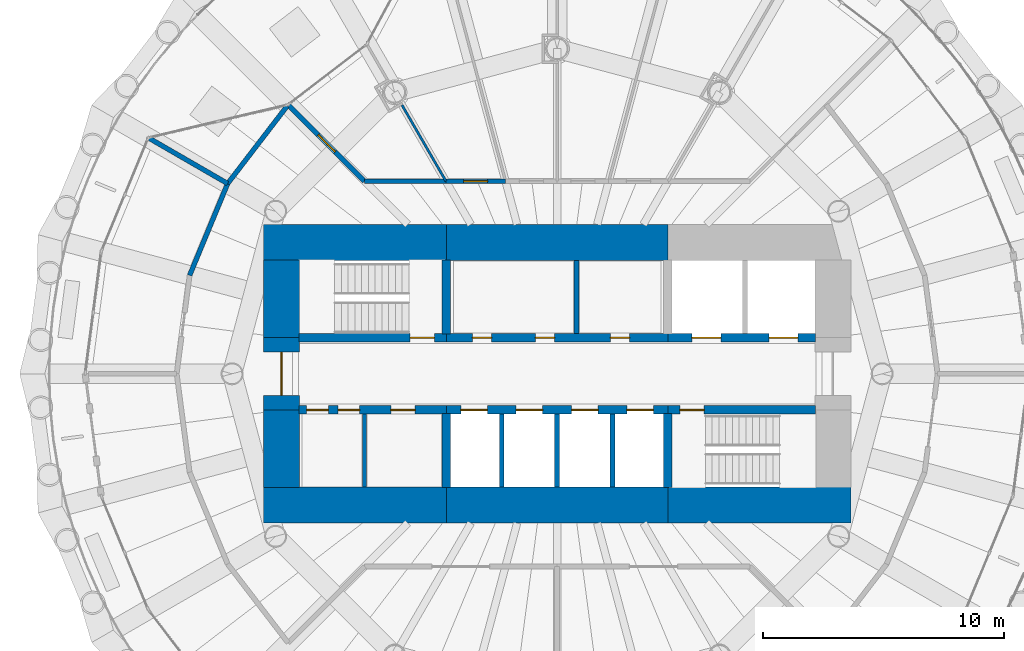
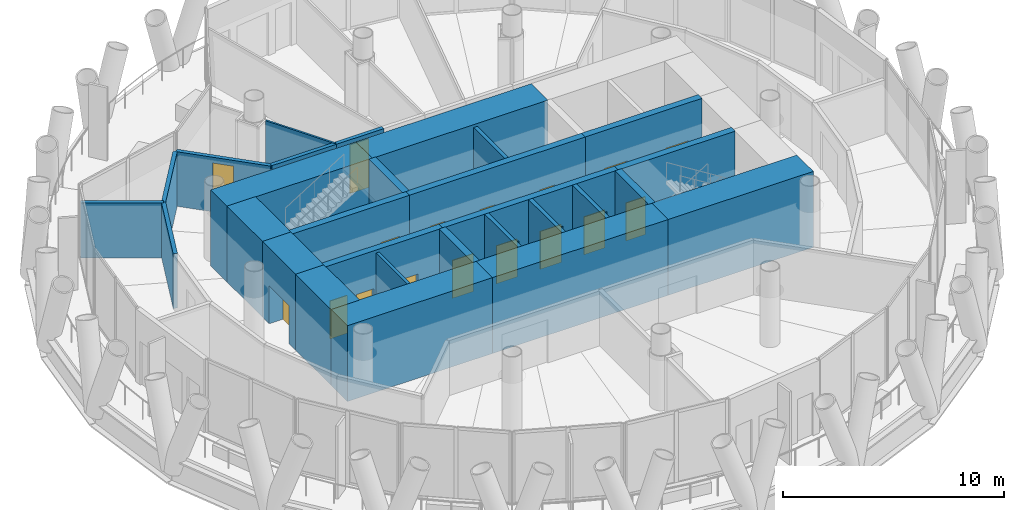
# One storey, part 9 of 14: 29 walls, 17 doors, 17 openings.
"""IFC4 building model written with IfcOpenShell, lengths in metres."""

from ifc_helpers import new_model, si_unit, direction, frame, frame_2d, origin, place, context, subcontext, project, spatial, rectangle, extrude, material, layer, layer_set, type_object, element, fill, save


model = new_model("IFC4")

# Units and contexts
model_context = context("Model", 3, precision=1e-05, world=origin(), true_north=direction((0.0, 1.0)))
body_context = subcontext(model_context, "Body", "Model", "MODEL_VIEW")
ifc_project = project(units=[si_unit("LENGTHUNIT", "METRE"), si_unit("AREAUNIT", "SQUARE_METRE"), si_unit("VOLUMEUNIT", "CUBIC_METRE"), si_unit("PLANEANGLEUNIT", "RADIAN"), si_unit("MASSUNIT", "GRAM", prefix="KILO")], contexts=[model_context])

# Site, building, storey
site_placement = place(None, origin())
site = spatial("IfcSite", under=ifc_project, at=site_placement, CompositionType="ELEMENT")
building_placement = place(site_placement, origin())
building = spatial("IfcBuilding", under=site, at=building_placement, Name="Qaws Media Tower", CompositionType="ELEMENT")
storey_placement = place(building_placement, frame((0.0, 0.0, 261.199951171875)))
storey = spatial("IfcBuildingStorey", under=building, at=storey_placement, Name="L60", CompositionType="ELEMENT", Elevation=261.199951171875)

# Wall, opening, door
ifc_material_1 = material(Name="Concrete C60/75", Category="concrete")
ifc_layer_1 = layer(ifc_material_1, 0.35009765625)
ifc_layer_set_1 = layer_set([ifc_layer_1], Name="Core inner wall 350")
wall_type_1 = type_object("IfcWallType", Name="Core inner wall 350", PredefinedType="SHEAR", material=ifc_layer_set_1)
wall_1_placement = place(storey_placement, frame((49.280029296875, 51.5, 0.0), z_axis=(0.0, 0.0, 1.0), x_axis=(1.0, 0.0, 0.0)))
wall_1 = element("IfcWall", 1, at=wall_1_placement, inside=storey, type_object=wall_type_1, Name="W301 SW5 core wall SPNW L60", PredefinedType="SHEAR", context=body_context, shape_type="SweptSolid", body=[
    extrude(rectangle(XDim=6.119873046875, YDim=0.35009765625, at=frame_2d((3.06005859375, 0.0))), origin(), (0.0, 0.0, 1.0), 4.199951171875),
])
opening_1_placement = place(wall_1_placement, frame((4.6201171875, 0.0, 0.0)))
opening_1 = element("IfcOpeningElement", 2, at=opening_1_placement, cuts=wall_1, Name="Opening D1", PredefinedType="OPENING", context=body_context, shape_type="SweptSolid", body=[
    extrude(rectangle(XDim=1.0, YDim=2.10009765625, at=frame_2d((0.5, 1.050048828125))), frame((0.0, 0.18505859375, 0.0), z_axis=(0.0, -1.0, 0.0), x_axis=(1.0, 0.0, 0.0)), (0.0, 0.0, 1.0), 0.3701171875),
])
ifc_material_2 = material(Name="Steel, fire rated", Category="steel")
door_type_1 = type_object("IfcDoorType", Name="Stair door 1000 FD120", OperationType="SINGLE_SWING_LEFT", PredefinedType="DOOR", material=ifc_material_2)
door_1_placement = place(opening_1_placement, origin())
door_1 = element("IfcDoor", 3, at=door_1_placement, inside=storey, type_object=door_type_1, Name="D1 stair S1 door L60 in wall W301", OperationType="SINGLE_SWING_LEFT", OverallHeight=2.10009765625, OverallWidth=1.0, PredefinedType="DOOR", context=body_context, shape_type="SweptSolid", body=[
    extrude(rectangle(XDim=1.0, YDim=2.10009765625, at=frame_2d((0.5, 1.050048828125))), frame((0.0, 0.02490234375, 0.0), z_axis=(0.0, -1.0, 0.0), x_axis=(1.0, 0.0, 0.0)), (0.0, 0.0, 1.0), 0.050048828125),
])
fill(opening_1, door_1)

# Wall, openings, doors
wall_2_placement = place(storey_placement, frame((55.39990234375, 51.5, 0.0), z_axis=(0.0, 0.0, 1.0), x_axis=(1.0, 0.0, 0.0)))
wall_2 = element("IfcWall", 4, at=wall_2_placement, inside=storey, type_object=wall_type_1, Name="W304 SW5 core wall SPN L60", PredefinedType="SHEAR", context=body_context, shape_type="SweptSolid", body=[
    extrude(rectangle(XDim=9.2001953125, YDim=0.35009765625, at=frame_2d((4.60009765625, 0.0))), origin(), (0.0, 0.0, 1.0), 4.199951171875),
])
opening_2_placement = place(wall_2_placement, frame((1.08251953125, 0.0, 0.0)))
opening_2 = element("IfcOpeningElement", 5, at=opening_2_placement, cuts=wall_2, Name="Opening D23", PredefinedType="OPENING", context=body_context, shape_type="SweptSolid", body=[
    extrude(rectangle(XDim=0.800048828125, YDim=2.10009765625, at=frame_2d((0.39990234375, 1.050048828125))), frame((0.0, 0.18505859375, 0.0), z_axis=(0.0, -1.0, 0.0), x_axis=(1.0, 0.0, 0.0)), (0.0, 0.0, 1.0), 0.3701171875),
])
opening_3_placement = place(wall_2_placement, frame((3.697265625, 0.0, 0.0)))
opening_3 = element("IfcOpeningElement", 6, at=opening_3_placement, cuts=wall_2, Name="Opening D23", PredefinedType="OPENING", context=body_context, shape_type="SweptSolid", body=[
    extrude(rectangle(XDim=0.800048828125, YDim=2.10009765625, at=frame_2d((0.39990234375, 1.050048828125))), frame((0.0, 0.18505859375, 0.0), z_axis=(0.0, -1.0, 0.0), x_axis=(1.0, 0.0, 0.0)), (0.0, 0.0, 1.0), 0.3701171875),
])
opening_4_placement = place(wall_2_placement, frame((6.814697265625, 0.0, 0.0)))
opening_4 = element("IfcOpeningElement", 7, at=opening_4_placement, cuts=wall_2, Name="Opening D23", PredefinedType="OPENING", context=body_context, shape_type="SweptSolid", body=[
    extrude(rectangle(XDim=0.800048828125, YDim=2.10009765625, at=frame_2d((0.39990234375, 1.050048828125))), frame((0.0, 0.18505859375, 0.0), z_axis=(0.0, -1.0, 0.0), x_axis=(1.0, 0.0, 0.0)), (0.0, 0.0, 1.0), 0.3701171875),
])
ifc_material_3 = material(Name="Steel, fire rated", Category="steel")
door_type_2 = type_object("IfcDoorType", Name="Core room door 800x2100", OperationType="SINGLE_SWING_LEFT", PredefinedType="DOOR", material=ifc_material_3)
door_2_placement = place(opening_2_placement, origin())
door_2 = element("IfcDoor", 8, at=door_2_placement, inside=storey, type_object=door_type_2, Name="D23 Gents toilets door L60 1 in wall W304", OperationType="SINGLE_SWING_LEFT", OverallHeight=2.10009765625, OverallWidth=0.800048828125, PredefinedType="DOOR", context=body_context, shape_type="SweptSolid", body=[
    extrude(rectangle(XDim=0.800048828125, YDim=2.10009765625, at=frame_2d((0.39990234375, 1.050048828125))), frame((0.0, 0.02490234375, 0.0), z_axis=(0.0, -1.0, 0.0), x_axis=(1.0, 0.0, 0.0)), (0.0, 0.0, 1.0), 0.050048828125),
])
fill(opening_2, door_2)
door_3_placement = place(opening_3_placement, origin())
door_3 = element("IfcDoor", 9, at=door_3_placement, inside=storey, type_object=door_type_2, Name="D23 Gents toilets door L60 2 in wall W304", OperationType="SINGLE_SWING_LEFT", OverallHeight=2.10009765625, OverallWidth=0.800048828125, PredefinedType="DOOR", context=body_context, shape_type="SweptSolid", body=[
    extrude(rectangle(XDim=0.800048828125, YDim=2.10009765625, at=frame_2d((0.39990234375, 1.050048828125))), frame((0.0, 0.02490234375, 0.0), z_axis=(0.0, -1.0, 0.0), x_axis=(1.0, 0.0, 0.0)), (0.0, 0.0, 1.0), 0.050048828125),
])
fill(opening_3, door_3)
door_4_placement = place(opening_4_placement, origin())
door_4 = element("IfcDoor", 10, at=door_4_placement, inside=storey, type_object=door_type_2, Name="D23 Ladies toilets door L60 in wall W304", OperationType="SINGLE_SWING_LEFT", OverallHeight=2.10009765625, OverallWidth=0.800048828125, PredefinedType="DOOR", context=body_context, shape_type="SweptSolid", body=[
    extrude(rectangle(XDim=0.800048828125, YDim=2.10009765625, at=frame_2d((0.39990234375, 1.050048828125))), frame((0.0, 0.02490234375, 0.0), z_axis=(0.0, -1.0, 0.0), x_axis=(1.0, 0.0, 0.0)), (0.0, 0.0, 1.0), 0.050048828125),
])
fill(opening_4, door_4)

wall_3_placement = place(storey_placement, frame((64.60009765625, 51.5, 0.0), z_axis=(0.0, 0.0, 1.0), x_axis=(1.0, 0.0, 0.0)))
wall_3 = element("IfcWall", 11, at=wall_3_placement, inside=storey, type_object=wall_type_1, Name="W308 SW5 core wall SPNE L60", PredefinedType="SHEAR", context=body_context, shape_type="SweptSolid", body=[
    extrude(rectangle(XDim=6.119873046875, YDim=0.35009765625, at=frame_2d((3.06005859375, 0.0))), origin(), (0.0, 0.0, 1.0), 4.199951171875),
])
opening_5_placement = place(wall_3_placement, frame((1.0, 0.0, 0.0)))
opening_5 = element("IfcOpeningElement", 12, at=opening_5_placement, cuts=wall_3, Name="Opening LD2", PredefinedType="OPENING", context=body_context, shape_type="SweptSolid", body=[
    extrude(rectangle(XDim=1.199951171875, YDim=2.10009765625, at=frame_2d((0.60009765625, 1.050048828125))), frame((0.0, 0.18505859375, 0.0), z_axis=(0.0, -1.0, 0.0), x_axis=(1.0, 0.0, 0.0)), (0.0, 0.0, 1.0), 0.3701171875),
])
opening_6_placement = place(wall_3_placement, frame((4.199951171875, 0.0, 0.0)))
opening_6 = element("IfcOpeningElement", 13, at=opening_6_placement, cuts=wall_3, Name="Opening LD2", PredefinedType="OPENING", context=body_context, shape_type="SweptSolid", body=[
    extrude(rectangle(XDim=1.199951171875, YDim=2.10009765625, at=frame_2d((0.60009765625, 1.050048828125))), frame((0.0, 0.18505859375, 0.0), z_axis=(0.0, -1.0, 0.0), x_axis=(1.0, 0.0, 0.0)), (0.0, 0.0, 1.0), 0.3701171875),
])
ifc_material_4 = material(Name="Steel, fire rated", Category="steel")
door_type_3 = type_object("IfcDoorType", Name="Lift landing door 1200", OperationType="SLIDING_TO_LEFT", PredefinedType="DOOR", material=ifc_material_4)
door_5_placement = place(opening_5_placement, origin())
door_5 = element("IfcDoor", 14, at=door_5_placement, inside=storey, type_object=door_type_3, Name="FL1 landing door L60 in wall W308", OperationType="SLIDING_TO_LEFT", OverallHeight=2.10009765625, OverallWidth=1.199951171875, PredefinedType="DOOR", context=body_context, shape_type="SweptSolid", body=[
    extrude(rectangle(XDim=1.199951171875, YDim=2.10009765625, at=frame_2d((0.60009765625, 1.050048828125))), frame((0.0, 0.02490234375, 0.0), z_axis=(0.0, -1.0, 0.0), x_axis=(1.0, 0.0, 0.0)), (0.0, 0.0, 1.0), 0.050048828125),
])
fill(opening_5, door_5)
door_6_placement = place(opening_6_placement, origin())
door_6 = element("IfcDoor", 15, at=door_6_placement, inside=storey, type_object=door_type_3, Name="FL2 landing door L60 in wall W308", OperationType="SLIDING_TO_LEFT", OverallHeight=2.10009765625, OverallWidth=1.199951171875, PredefinedType="DOOR", context=body_context, shape_type="SweptSolid", body=[
    extrude(rectangle(XDim=1.199951171875, YDim=2.10009765625, at=frame_2d((0.60009765625, 1.050048828125))), frame((0.0, 0.02490234375, 0.0), z_axis=(0.0, -1.0, 0.0), x_axis=(1.0, 0.0, 0.0)), (0.0, 0.0, 1.0), 0.050048828125),
])
fill(opening_6, door_6)

wall_4_placement = place(storey_placement, frame((49.280029296875, 48.5, 0.0), z_axis=(0.0, 0.0, 1.0), x_axis=(1.0, 0.0, 0.0)))
wall_4 = element("IfcWall", 16, at=wall_4_placement, inside=storey, type_object=wall_type_1, Name="W300 SW5 core wall SPSW L60", PredefinedType="SHEAR", context=body_context, shape_type="SweptSolid", body=[
    extrude(rectangle(XDim=6.119873046875, YDim=0.35009765625, at=frame_2d((3.06005859375, 0.0))), origin(), (0.0, 0.0, 1.0), 4.199951171875),
])
opening_7_placement = place(wall_4_placement, frame((0.320068359375, 0.0, 0.0)))
opening_7 = element("IfcOpeningElement", 17, at=opening_7_placement, cuts=wall_4, Name="Opening D3", PredefinedType="OPENING", context=body_context, shape_type="SweptSolid", body=[
    extrude(rectangle(XDim=0.89990234375, YDim=2.10009765625, at=frame_2d((0.449951171875, 1.050048828125))), frame((0.0, 0.18505859375, 0.0), z_axis=(0.0, -1.0, 0.0), x_axis=(1.0, 0.0, 0.0)), (0.0, 0.0, 1.0), 0.3701171875),
])
opening_8_placement = place(wall_4_placement, frame((1.6201171875, 0.0, 0.0)))
opening_8 = element("IfcOpeningElement", 18, at=opening_8_placement, cuts=wall_4, Name="Opening D3", PredefinedType="OPENING", context=body_context, shape_type="SweptSolid", body=[
    extrude(rectangle(XDim=0.89990234375, YDim=2.10009765625, at=frame_2d((0.449951171875, 1.050048828125))), frame((0.0, 0.18505859375, 0.0), z_axis=(0.0, -1.0, 0.0), x_axis=(1.0, 0.0, 0.0)), (0.0, 0.0, 1.0), 0.3701171875),
])
opening_9_placement = place(wall_4_placement, frame((3.820068359375, 0.0, 0.0)))
opening_9 = element("IfcOpeningElement", 19, at=opening_9_placement, cuts=wall_4, Name="Opening D4", PredefinedType="OPENING", context=body_context, shape_type="SweptSolid", body=[
    extrude(rectangle(XDim=1.0, YDim=2.10009765625, at=frame_2d((0.5, 1.050048828125))), frame((0.0, 0.18505859375, 0.0), z_axis=(0.0, -1.0, 0.0), x_axis=(1.0, 0.0, 0.0)), (0.0, 0.0, 1.0), 0.3701171875),
])
ifc_material_5 = material(Name="Timber veneered", Category="wood")
door_type_4 = type_object("IfcDoorType", Name="Accessible WC door 1000", OperationType="SLIDING_TO_LEFT", PredefinedType="DOOR", material=ifc_material_5)
door_7_placement = place(opening_9_placement, origin())
door_7 = element("IfcDoor", 20, at=door_7_placement, inside=storey, type_object=door_type_4, Name="D4 toilet door 3 L60 in wall W300", OperationType="SLIDING_TO_LEFT", OverallHeight=2.10009765625, OverallWidth=1.0, PredefinedType="DOOR", context=body_context, shape_type="SweptSolid", body=[
    extrude(rectangle(XDim=1.0, YDim=2.10009765625, at=frame_2d((0.5, 1.050048828125))), frame((0.0, 0.02490234375, 0.0), z_axis=(0.0, -1.0, 0.0), x_axis=(1.0, 0.0, 0.0)), (0.0, 0.0, 1.0), 0.050048828125),
])
fill(opening_9, door_7)
ifc_material_6 = material(Name="Timber veneered", Category="wood")
door_type_5 = type_object("IfcDoorType", Name="Toilet door 900", OperationType="SINGLE_SWING_RIGHT", PredefinedType="DOOR", material=ifc_material_6)
door_8_placement = place(opening_7_placement, origin())
door_8 = element("IfcDoor", 21, at=door_8_placement, inside=storey, type_object=door_type_5, Name="D3 toilet door 1 L60 in wall W300", OperationType="SINGLE_SWING_RIGHT", OverallHeight=2.10009765625, OverallWidth=0.89990234375, PredefinedType="DOOR", context=body_context, shape_type="SweptSolid", body=[
    extrude(rectangle(XDim=0.89990234375, YDim=2.10009765625, at=frame_2d((0.449951171875, 1.050048828125))), frame((0.0, 0.02490234375, 0.0), z_axis=(0.0, -1.0, 0.0), x_axis=(1.0, 0.0, 0.0)), (0.0, 0.0, 1.0), 0.050048828125),
])
fill(opening_7, door_8)
door_9_placement = place(opening_8_placement, origin())
door_9 = element("IfcDoor", 22, at=door_9_placement, inside=storey, type_object=door_type_5, Name="D3 toilet door 2 L60 in wall W300", OperationType="SINGLE_SWING_RIGHT", OverallHeight=2.10009765625, OverallWidth=0.89990234375, PredefinedType="DOOR", context=body_context, shape_type="SweptSolid", body=[
    extrude(rectangle(XDim=0.89990234375, YDim=2.10009765625, at=frame_2d((0.449951171875, 1.050048828125))), frame((0.0, 0.02490234375, 0.0), z_axis=(0.0, -1.0, 0.0), x_axis=(1.0, 0.0, 0.0)), (0.0, 0.0, 1.0), 0.050048828125),
])
fill(opening_8, door_9)

wall_5_placement = place(storey_placement, frame((55.39990234375, 48.5, 0.0), z_axis=(0.0, 0.0, 1.0), x_axis=(1.0, 0.0, 0.0)))
wall_5 = element("IfcWall", 23, at=wall_5_placement, inside=storey, type_object=wall_type_1, Name="W303 SW5 core wall SPS L60", PredefinedType="SHEAR", context=body_context, shape_type="SweptSolid", body=[
    extrude(rectangle(XDim=9.2001953125, YDim=0.35009765625, at=frame_2d((4.60009765625, 0.0))), origin(), (0.0, 0.0, 1.0), 4.199951171875),
])
opening_10_placement = place(wall_5_placement, frame((0.60009765625, 0.0, 0.0)))
opening_10 = element("IfcOpeningElement", 24, at=opening_10_placement, cuts=wall_5, Name="Opening LD", PredefinedType="OPENING", context=body_context, shape_type="SweptSolid", body=[
    extrude(rectangle(XDim=1.10009765625, YDim=2.10009765625, at=frame_2d((0.550048828125, 1.050048828125))), frame((0.0, 0.18505859375, 0.0), z_axis=(0.0, -1.0, 0.0), x_axis=(1.0, 0.0, 0.0)), (0.0, 0.0, 1.0), 0.3701171875),
])
opening_11_placement = place(wall_5_placement, frame((2.89990234375, 0.0, 0.0)))
opening_11 = element("IfcOpeningElement", 25, at=opening_11_placement, cuts=wall_5, Name="Opening LD", PredefinedType="OPENING", context=body_context, shape_type="SweptSolid", body=[
    extrude(rectangle(XDim=1.10009765625, YDim=2.10009765625, at=frame_2d((0.550048828125, 1.050048828125))), frame((0.0, 0.18505859375, 0.0), z_axis=(0.0, -1.0, 0.0), x_axis=(1.0, 0.0, 0.0)), (0.0, 0.0, 1.0), 0.3701171875),
])
opening_12_placement = place(wall_5_placement, frame((5.199951171875, 0.0, 0.0)))
opening_12 = element("IfcOpeningElement", 26, at=opening_12_placement, cuts=wall_5, Name="Opening LD", PredefinedType="OPENING", context=body_context, shape_type="SweptSolid", body=[
    extrude(rectangle(XDim=1.10009765625, YDim=2.10009765625, at=frame_2d((0.550048828125, 1.050048828125))), frame((0.0, 0.18505859375, 0.0), z_axis=(0.0, -1.0, 0.0), x_axis=(1.0, 0.0, 0.0)), (0.0, 0.0, 1.0), 0.3701171875),
])
opening_13_placement = place(wall_5_placement, frame((7.5, 0.0, 0.0)))
opening_13 = element("IfcOpeningElement", 27, at=opening_13_placement, cuts=wall_5, Name="Opening LD", PredefinedType="OPENING", context=body_context, shape_type="SweptSolid", body=[
    extrude(rectangle(XDim=1.10009765625, YDim=2.10009765625, at=frame_2d((0.550048828125, 1.050048828125))), frame((0.0, 0.18505859375, 0.0), z_axis=(0.0, -1.0, 0.0), x_axis=(1.0, 0.0, 0.0)), (0.0, 0.0, 1.0), 0.3701171875),
])
ifc_material_7 = material(Name="Steel, fire rated", Category="steel")
door_type_6 = type_object("IfcDoorType", Name="Lift landing door 1100", OperationType="SLIDING_TO_LEFT", PredefinedType="DOOR", material=ifc_material_7)
door_10_placement = place(opening_10_placement, origin())
door_10 = element("IfcDoor", 28, at=door_10_placement, inside=storey, type_object=door_type_6, Name="P5 landing door L60 in wall W303", OperationType="SLIDING_TO_LEFT", OverallHeight=2.10009765625, OverallWidth=1.10009765625, PredefinedType="DOOR", context=body_context, shape_type="SweptSolid", body=[
    extrude(rectangle(XDim=1.10009765625, YDim=2.10009765625, at=frame_2d((0.550048828125, 1.050048828125))), frame((0.0, 0.02490234375, 0.0), z_axis=(0.0, -1.0, 0.0), x_axis=(1.0, 0.0, 0.0)), (0.0, 0.0, 1.0), 0.050048828125),
])
fill(opening_10, door_10)
door_11_placement = place(opening_11_placement, origin())
door_11 = element("IfcDoor", 29, at=door_11_placement, inside=storey, type_object=door_type_6, Name="P6 landing door L60 in wall W303", OperationType="SLIDING_TO_LEFT", OverallHeight=2.10009765625, OverallWidth=1.10009765625, PredefinedType="DOOR", context=body_context, shape_type="SweptSolid", body=[
    extrude(rectangle(XDim=1.10009765625, YDim=2.10009765625, at=frame_2d((0.550048828125, 1.050048828125))), frame((0.0, 0.02490234375, 0.0), z_axis=(0.0, -1.0, 0.0), x_axis=(1.0, 0.0, 0.0)), (0.0, 0.0, 1.0), 0.050048828125),
])
fill(opening_11, door_11)
door_12_placement = place(opening_12_placement, origin())
door_12 = element("IfcDoor", 30, at=door_12_placement, inside=storey, type_object=door_type_6, Name="P7 landing door L60 in wall W303", OperationType="SLIDING_TO_LEFT", OverallHeight=2.10009765625, OverallWidth=1.10009765625, PredefinedType="DOOR", context=body_context, shape_type="SweptSolid", body=[
    extrude(rectangle(XDim=1.10009765625, YDim=2.10009765625, at=frame_2d((0.550048828125, 1.050048828125))), frame((0.0, 0.02490234375, 0.0), z_axis=(0.0, -1.0, 0.0), x_axis=(1.0, 0.0, 0.0)), (0.0, 0.0, 1.0), 0.050048828125),
])
fill(opening_12, door_12)
door_13_placement = place(opening_13_placement, origin())
door_13 = element("IfcDoor", 31, at=door_13_placement, inside=storey, type_object=door_type_6, Name="P8 landing door L60 in wall W303", OperationType="SLIDING_TO_LEFT", OverallHeight=2.10009765625, OverallWidth=1.10009765625, PredefinedType="DOOR", context=body_context, shape_type="SweptSolid", body=[
    extrude(rectangle(XDim=1.10009765625, YDim=2.10009765625, at=frame_2d((0.550048828125, 1.050048828125))), frame((0.0, 0.02490234375, 0.0), z_axis=(0.0, -1.0, 0.0), x_axis=(1.0, 0.0, 0.0)), (0.0, 0.0, 1.0), 0.050048828125),
])
fill(opening_13, door_13)

# Wall, opening, door
wall_6_placement = place(storey_placement, frame((64.60009765625, 48.5, 0.0), z_axis=(0.0, 0.0, 1.0), x_axis=(1.0, 0.0, 0.0)))
wall_6 = element("IfcWall", 32, at=wall_6_placement, inside=storey, type_object=wall_type_1, Name="W307 SW5 core wall SPSE L60", PredefinedType="SHEAR", context=body_context, shape_type="SweptSolid", body=[
    extrude(rectangle(XDim=6.119873046875, YDim=0.35009765625, at=frame_2d((3.06005859375, 0.0))), origin(), (0.0, 0.0, 1.0), 4.199951171875),
])
opening_14_placement = place(wall_6_placement, frame((0.5, 0.0, 0.0)))
opening_14 = element("IfcOpeningElement", 33, at=opening_14_placement, cuts=wall_6, Name="Opening D1", PredefinedType="OPENING", context=body_context, shape_type="SweptSolid", body=[
    extrude(rectangle(XDim=1.0, YDim=2.10009765625, at=frame_2d((0.5, 1.050048828125))), frame((0.0, 0.18505859375, 0.0), z_axis=(0.0, -1.0, 0.0), x_axis=(1.0, 0.0, 0.0)), (0.0, 0.0, 1.0), 0.3701171875),
])
door_14_placement = place(opening_14_placement, origin())
door_14 = element("IfcDoor", 34, at=door_14_placement, inside=storey, type_object=door_type_1, Name="D1 stair S2 door L60 in wall W307", OperationType="SINGLE_SWING_LEFT", OverallHeight=2.10009765625, OverallWidth=1.0, PredefinedType="DOOR", context=body_context, shape_type="SweptSolid", body=[
    extrude(rectangle(XDim=1.0, YDim=2.10009765625, at=frame_2d((0.5, 1.050048828125))), frame((0.0, 0.02490234375, 0.0), z_axis=(0.0, -1.0, 0.0), x_axis=(1.0, 0.0, 0.0)), (0.0, 0.0, 1.0), 0.050048828125),
])
fill(opening_14, door_14)

# Walls
for number, where, z_axis, x_axis, name in (
    (35, (55.39990234375, 51.655029296875, 0.0), (0.0, 0.0, 1.0), (0.0, 1.0, 0.0), "W305 SW5 core wall XNW L60"),
    (36, (55.39990234375, 48.344970703125, 0.0), (0.0, 0.0, 1.0), (0.0, -1.0, 0.0), "W302 SW5 core wall XSW L60"),
    (37, (64.60009765625, 48.344970703125, 0.0), (0.0, 0.0, 1.0), (0.0, -1.0, 0.0), "W306 SW5 core wall XSE L60"),
):
    element("IfcWall", number, at=place(storey_placement, frame(where, z_axis=z_axis, x_axis=x_axis)), inside=storey, type_object=wall_type_1, Name=name, PredefinedType="SHEAR", context=body_context, shape_type="SweptSolid", body=[
        extrude(rectangle(XDim=3.06494140625, YDim=0.35009765625, at=frame_2d((1.532470703125, 0.0))), origin(), (0.0, 0.0, 1.0), 4.199951171875),
    ])
ifc_material_8 = material(Name="Concrete C60/75", Category="concrete")
ifc_layer_2 = layer(ifc_material_8, 1.5)
ifc_layer_set_2 = layer_set([ifc_layer_2], Name="Core wall 1500")
wall_type_2 = type_object("IfcWallType", Name="Core wall 1500", PredefinedType="SHEAR", material=ifc_layer_set_2)
wall_7_placement = place(storey_placement, frame((47.800048828125, 55.449951171875, 0.0), z_axis=(0.0, 0.0, 1.0), x_axis=(1.0, 0.0, 0.0)))
element("IfcWall", 38, at=wall_7_placement, inside=storey, type_object=wall_type_2, Name="W377 SW13 core wall NW L60", PredefinedType="SHEAR", context=body_context, shape_type="SweptSolid", body=[
    extrude(rectangle(XDim=7.599853515625, YDim=1.5, at=frame_2d((3.7998046875, 0.0))), origin(), (0.0, 0.0, 1.0), 4.199951171875),
])
wall_8_placement = place(storey_placement, frame((55.39990234375, 55.449951171875, 0.0), z_axis=(0.0, 0.0, 1.0), x_axis=(1.0, 0.0, 0.0)))
element("IfcWall", 39, at=wall_8_placement, inside=storey, type_object=wall_type_2, Name="W373 SW13 core wall N L60", PredefinedType="SHEAR", context=body_context, shape_type="SweptSolid", body=[
    extrude(rectangle(XDim=9.2001953125, YDim=1.5, at=frame_2d((4.60009765625, 0.0))), origin(), (0.0, 0.0, 1.0), 4.199951171875),
])
wall_9_placement = place(storey_placement, frame((47.800048828125, 44.550048828125, 0.0), z_axis=(0.0, 0.0, 1.0), x_axis=(1.0, 0.0, 0.0)))
element("IfcWall", 40, at=wall_9_placement, inside=storey, type_object=wall_type_2, Name="W376 SW13 core wall SW L60", PredefinedType="SHEAR", context=body_context, shape_type="SweptSolid", body=[
    extrude(rectangle(XDim=7.599853515625, YDim=1.5, at=frame_2d((3.7998046875, 0.0))), origin(), (0.0, 0.0, 1.0), 4.199951171875),
])
wall_10_placement = place(storey_placement, frame((55.39990234375, 44.550048828125, 0.0), z_axis=(0.0, 0.0, 1.0), x_axis=(1.0, 0.0, 0.0)))
element("IfcWall", 41, at=wall_10_placement, inside=storey, type_object=wall_type_2, Name="W372 SW13 core wall S L60", PredefinedType="SHEAR", context=body_context, shape_type="SweptSolid", body=[
    extrude(rectangle(XDim=9.2001953125, YDim=1.5, at=frame_2d((4.60009765625, 0.0))), origin(), (0.0, 0.0, 1.0), 4.199951171875),
])
wall_11_placement = place(storey_placement, frame((64.60009765625, 44.550048828125, 0.0), z_axis=(0.0, 0.0, 1.0), x_axis=(1.0, 0.0, 0.0)))
element("IfcWall", 42, at=wall_11_placement, inside=storey, type_object=wall_type_2, Name="W381 SW13 core wall SE L60", PredefinedType="SHEAR", context=body_context, shape_type="SweptSolid", body=[
    extrude(rectangle(XDim=7.599853515625, YDim=1.5, at=frame_2d((3.7998046875, 0.0))), origin(), (0.0, 0.0, 1.0), 4.199951171875),
])
wall_12_placement = place(storey_placement, frame((48.550048828125, 45.280029296875, 0.0), z_axis=(0.0, 0.0, 1.0), x_axis=(0.0, 1.0, 0.0)))
element("IfcWall", 43, at=wall_12_placement, inside=storey, type_object=wall_type_2, Name="W378 SW13 core wall WS L60", PredefinedType="SHEAR", context=body_context, shape_type="SweptSolid", body=[
    extrude(rectangle(XDim=3.219970703125, YDim=1.5, at=frame_2d((1.60986328125, 0.0))), origin(), (0.0, 0.0, 1.0), 4.199951171875),
])

# Wall, opening, door
wall_13_placement = place(storey_placement, frame((48.550048828125, 48.5, 0.0), z_axis=(0.0, 0.0, 1.0), x_axis=(0.0, 1.0, 0.0)))
wall_13 = element("IfcWall", 44, at=wall_13_placement, inside=storey, type_object=wall_type_2, Name="W379 SW13 core wall W L60", PredefinedType="SHEAR", context=body_context, shape_type="SweptSolid", body=[
    extrude(rectangle(XDim=3.0, YDim=1.5, at=frame_2d((1.5, 0.0))), origin(), (0.0, 0.0, 1.0), 4.199951171875),
])
opening_15_placement = place(wall_13_placement, frame((0.60009765625, 0.0, 0.0)))
opening_15 = element("IfcOpeningElement", 45, at=opening_15_placement, cuts=wall_13, Name="Opening D2", PredefinedType="OPENING", context=body_context, shape_type="SweptSolid", body=[
    extrude(rectangle(XDim=1.800048828125, YDim=2.10009765625, at=frame_2d((0.89990234375, 1.050048828125))), frame((0.0, 0.760009765625, 0.0), z_axis=(0.0, -1.0, 0.0), x_axis=(1.0, 0.0, 0.0)), (0.0, 0.0, 1.0), 1.52001953125),
])
ifc_material_9 = material(Name="Steel and glass, fire rated", Category="steel")
door_type_7 = type_object("IfcDoorType", Name="Lobby door pair 1800 FD60", OperationType="DOUBLE_DOOR_DOUBLE_SWING", PredefinedType="DOOR", material=ifc_material_9)
door_15_placement = place(opening_15_placement, origin())
door_15 = element("IfcDoor", 46, at=door_15_placement, inside=storey, type_object=door_type_7, Name="D2 core lobby door W L60 in wall W379", OperationType="DOUBLE_DOOR_DOUBLE_SWING", OverallHeight=2.10009765625, OverallWidth=1.800048828125, PredefinedType="DOOR", context=body_context, shape_type="SweptSolid", body=[
    extrude(rectangle(XDim=1.800048828125, YDim=2.10009765625, at=frame_2d((0.89990234375, 1.050048828125))), frame((0.0, 0.02490234375, 0.0), z_axis=(0.0, -1.0, 0.0), x_axis=(1.0, 0.0, 0.0)), (0.0, 0.0, 1.0), 0.050048828125),
])
fill(opening_15, door_15)

# Walls
wall_14_placement = place(storey_placement, frame((48.550048828125, 51.5, 0.0), z_axis=(0.0, 0.0, 1.0), x_axis=(0.0, 1.0, 0.0)))
element("IfcWall", 47, at=wall_14_placement, inside=storey, type_object=wall_type_2, Name="W380 SW13 core wall WN L60", PredefinedType="SHEAR", context=body_context, shape_type="SweptSolid", body=[
    extrude(rectangle(XDim=3.219970703125, YDim=1.5, at=frame_2d((1.60986328125, 0.0))), origin(), (0.0, 0.0, 1.0), 4.199951171875),
])
ifc_material_10 = material(Name="Gypsum board on 70 metal studs, single layer each side", Category="gypsum")
ifc_layer_3 = layer(ifc_material_10, 0.10009765625)
ifc_layer_set_3 = layer_set([ifc_layer_3], Name="Office stud partition 100")
wall_type_3 = type_object("IfcWallType", Name="Office stud partition 100", PredefinedType="PARTITIONING", material=ifc_layer_set_3)
wall_15_placement = place(storey_placement, frame((55.3798828125, 58.002197265625, 0.0), z_axis=(0.0, 0.0, 1.0), x_axis=(-0.499973852758, 0.866040499375, 0.0)))
element("IfcWall", 48, at=wall_15_placement, inside=storey, type_object=wall_type_3, Name="W700 IW4 partition L60", PredefinedType="PARTITIONING", context=body_context, shape_type="SweptSolid", body=[
    extrude(rectangle(XDim=3.642822265625, YDim=0.10009765625, at=frame_2d((1.8212890625, 0.0))), origin(), (0.0, 0.0, 1.0), 3.0400390625),
])
ifc_material_11 = material(Name="Gypsum board on galvanised metal studs, acoustic double stud, deflection head", Category="gypsum")
ifc_layer_4 = layer(ifc_material_11, 0.199951171875)
ifc_layer_set_4 = layer_set([ifc_layer_4], Name="Room partition 200")
wall_type_4 = type_object("IfcWallType", Name="Room partition 200", PredefinedType="PARTITIONING", material=ifc_layer_set_4)
wall_16_placement = place(storey_placement, frame((44.73828125, 54.08935546875, 0.0), z_axis=(0.0, 0.0, 1.0), x_axis=(0.382731667114, 0.923859551549, 0.0)))
element("IfcWall", 49, at=wall_16_placement, inside=storey, type_object=wall_type_4, Name="W1710 IW3 partition L60", PredefinedType="PARTITIONING", context=body_context, shape_type="SweptSolid", body=[
    extrude(rectangle(XDim=4.12451171875, YDim=0.199951171875, at=frame_2d((2.062255859375, 0.0))), origin(), (0.0, 0.0, 1.0), 3.02001953125),
])
wall_17_placement = place(storey_placement, frame((46.31689453125, 57.89990234375, 0.0), z_axis=(0.0, 0.0, 1.0), x_axis=(0.608752668552, 0.793360062349, 0.0)))
element("IfcWall", 50, at=wall_17_placement, inside=storey, type_object=wall_type_4, Name="W1713 IW3 partition L60", PredefinedType="PARTITIONING", context=body_context, shape_type="SweptSolid", body=[
    extrude(rectangle(XDim=4.053466796875, YDim=0.199951171875, at=frame_2d((2.02685546875, 0.0))), origin(), (0.0, 0.0, 1.0), 3.02001953125),
])

# Wall, opening, door
wall_18_placement = place(storey_placement, frame((48.85986328125, 61.14013671875, 0.0), z_axis=(0.0, 0.0, 1.0), x_axis=(0.707106781187, -0.707106781187, 0.0)))
wall_18 = element("IfcWall", 51, at=wall_18_placement, inside=storey, type_object=wall_type_4, Name="W1715 IW3 partition L60", PredefinedType="PARTITIONING", context=body_context, shape_type="SweptSolid", body=[
    extrude(rectangle(XDim=4.44091796875, YDim=0.199951171875, at=frame_2d((2.220458984375, 0.0))), origin(), (0.0, 0.0, 1.0), 3.02001953125),
])
opening_16_placement = place(wall_18_placement, frame((1.720458984375, 0.0, 0.0)))
opening_16 = element("IfcOpeningElement", 52, at=opening_16_placement, cuts=wall_18, Name="Opening D21", PredefinedType="OPENING", context=body_context, shape_type="SweptSolid", body=[
    extrude(rectangle(XDim=1.0, YDim=2.699951171875, at=frame_2d((0.5, 1.35009765625))), frame((0.0, 0.10986328125, 0.0), z_axis=(0.0, -1.0, 0.0), x_axis=(1.0, 0.0, 0.0)), (0.0, 0.0, 1.0), 0.219970703125),
])
ifc_material_12 = material(Name="Timber veneered, full height, acoustic seals", Category="wood")
door_type_8 = type_object("IfcDoorType", Name="Executive door 1000x2700", OperationType="SINGLE_SWING_LEFT", PredefinedType="DOOR", material=ifc_material_12)
door_16_placement = place(opening_16_placement, origin())
door_16 = element("IfcDoor", 53, at=door_16_placement, inside=storey, type_object=door_type_8, Name="D21 Executive office door L60 in wall W1715", OperationType="SINGLE_SWING_LEFT", OverallHeight=2.699951171875, OverallWidth=1.0, PredefinedType="DOOR", context=body_context, shape_type="SweptSolid", body=[
    extrude(rectangle(XDim=1.0, YDim=2.699951171875, at=frame_2d((0.5, 1.35009765625))), frame((0.0, 0.02490234375, 0.0), z_axis=(0.0, -1.0, 0.0), x_axis=(1.0, 0.0, 0.0)), (0.0, 0.0, 1.0), 0.050048828125),
])
fill(opening_16, door_16)

# Wall
wall_19_placement = place(storey_placement, frame((52.0, 58.0, 0.0), z_axis=(0.0, 0.0, 1.0), x_axis=(1.0, 0.0, 0.0)))
element("IfcWall", 54, at=wall_19_placement, inside=storey, type_object=wall_type_4, Name="W1717 IW3 partition L60", PredefinedType="PARTITIONING", context=body_context, shape_type="SweptSolid", body=[
    extrude(rectangle(XDim=3.381103515625, YDim=0.199951171875, at=frame_2d((1.6904296875, 0.0))), origin(), (0.0, 0.0, 1.0), 3.0400390625),
])

# Wall, opening, door
wall_20_placement = place(storey_placement, frame((55.381103515625, 58.0, 0.0), z_axis=(0.0, 0.0, 1.0), x_axis=(1.0, 0.0, 0.0)))
wall_20 = element("IfcWall", 55, at=wall_20_placement, inside=storey, type_object=wall_type_4, Name="W1718 IW3 partition L60", PredefinedType="PARTITIONING", context=body_context, shape_type="SweptSolid", body=[
    extrude(rectangle(XDim=2.475341796875, YDim=0.199951171875, at=frame_2d((1.23779296875, 0.0))), origin(), (0.0, 0.0, 1.0), 3.0400390625),
])
opening_17_placement = place(wall_20_placement, frame((0.737548828125, 0.0, 0.0)))
opening_17 = element("IfcOpeningElement", 56, at=opening_17_placement, cuts=wall_20, Name="Opening D21", PredefinedType="OPENING", context=body_context, shape_type="SweptSolid", body=[
    extrude(rectangle(XDim=1.0, YDim=2.699951171875, at=frame_2d((0.5, 1.35009765625))), frame((0.0, 0.10986328125, 0.0), z_axis=(0.0, -1.0, 0.0), x_axis=(1.0, 0.0, 0.0)), (0.0, 0.0, 1.0), 0.219970703125),
])
door_17_placement = place(opening_17_placement, origin())
door_17 = element("IfcDoor", 57, at=door_17_placement, inside=storey, type_object=door_type_8, Name="D21 Executive office door L60 in wall W1718", OperationType="SINGLE_SWING_LEFT", OverallHeight=2.699951171875, OverallWidth=1.0, PredefinedType="DOOR", context=body_context, shape_type="SweptSolid", body=[
    extrude(rectangle(XDim=1.0, YDim=2.699951171875, at=frame_2d((0.5, 1.35009765625))), frame((0.0, 0.02490234375, 0.0), z_axis=(0.0, -1.0, 0.0), x_axis=(1.0, 0.0, 0.0)), (0.0, 0.0, 1.0), 0.050048828125),
])
fill(opening_17, door_17)

# Walls
wall_21_placement = place(storey_placement, frame((46.31689453125, 57.89990234375, 0.0), z_axis=(0.0, 0.0, 1.0), x_axis=(-0.866016909885, 0.500014711578, 0.0)))
element("IfcWall", 58, at=wall_21_placement, inside=storey, type_object=wall_type_4, Name="W1712 IW3 partition L60", PredefinedType="PARTITIONING", context=body_context, shape_type="SweptSolid", body=[
    extrude(rectangle(XDim=3.76025390625, YDim=0.199951171875, at=frame_2d((1.880126953125, 0.0))), origin(), (0.0, 0.0, 1.0), 3.02001953125),
])
wall_22_placement = place(storey_placement, frame((60.804443359375, 51.675048828125, 0.0), z_axis=(0.0, 0.0, 1.0), x_axis=(0.0, 1.0, 0.0)))
element("IfcWall", 59, at=wall_22_placement, inside=storey, type_object=wall_type_4, Name="W1724 IW3 core room partition 1 L60", PredefinedType="PARTITIONING", context=body_context, shape_type="SweptSolid", body=[
    extrude(rectangle(XDim=3.02490234375, YDim=0.199951171875, at=frame_2d((1.512451171875, 0.0))), origin(), (0.0, 0.0, 1.0), 4.0400390625),
])
ifc_material_13 = material(Name="Fire-rated gypsum board shaft wall on galvanised metal studs, deflection head", Category="gypsum")
ifc_layer_5 = layer(ifc_material_13, 0.199951171875)
ifc_layer_set_5 = layer_set([ifc_layer_5], Name="Shaft wall 200")
wall_type_5 = type_object("IfcWallType", Name="Shaft wall 200", PredefinedType="PARTITIONING", material=ifc_layer_set_5)
for number, where, z_axis, x_axis, name in (
    (60, (57.699951171875, 45.300048828125, 0.0), (0.0, 0.0, 1.0), (0.0, 1.0, 0.0), "W1871 IW1 shaft wall S1 L60"),
    (61, (60.0, 45.300048828125, 0.0), (0.0, 0.0, 1.0), (0.0, 1.0, 0.0), "W1872 IW1 shaft wall S2 L60"),
    (62, (62.300048828125, 45.300048828125, 0.0), (0.0, 0.0, 1.0), (0.0, 1.0, 0.0), "W1873 IW1 shaft wall S3 L60"),
):
    element("IfcWall", number, at=place(storey_placement, frame(where, z_axis=z_axis, x_axis=x_axis)), inside=storey, type_object=wall_type_5, Name=name, PredefinedType="PARTITIONING", context=body_context, shape_type="SweptSolid", body=[
        extrude(rectangle(XDim=3.02490234375, YDim=0.199951171875, at=frame_2d((1.512451171875, 0.0))), origin(), (0.0, 0.0, 1.0), 4.199951171875),
    ])
ifc_material_14 = material(Name="Gypsum board on galvanised metal studs, deflection head", Category="gypsum")
ifc_layer_6 = layer(ifc_material_14, 0.14990234375)
ifc_layer_set_6 = layer_set([ifc_layer_6], Name="WC partition 150")
wall_type_6 = type_object("IfcWallType", Name="WC partition 150", PredefinedType="PARTITIONING", material=ifc_layer_set_6)
wall_23_placement = place(storey_placement, frame((52.0, 45.300048828125, 0.0), z_axis=(0.0, 0.0, 1.0), x_axis=(0.0, 1.0, 0.0)))
element("IfcWall", 63, at=wall_23_placement, inside=storey, type_object=wall_type_6, Name="W1925 IW2 toilet partition 1 L60", PredefinedType="PARTITIONING", context=body_context, shape_type="SweptSolid", body=[
    extrude(rectangle(XDim=3.02490234375, YDim=0.14990234375, at=frame_2d((1.512451171875, 0.0))), origin(), (0.0, 0.0, 1.0), 4.0400390625),
])

save(model, "model.ifc")
